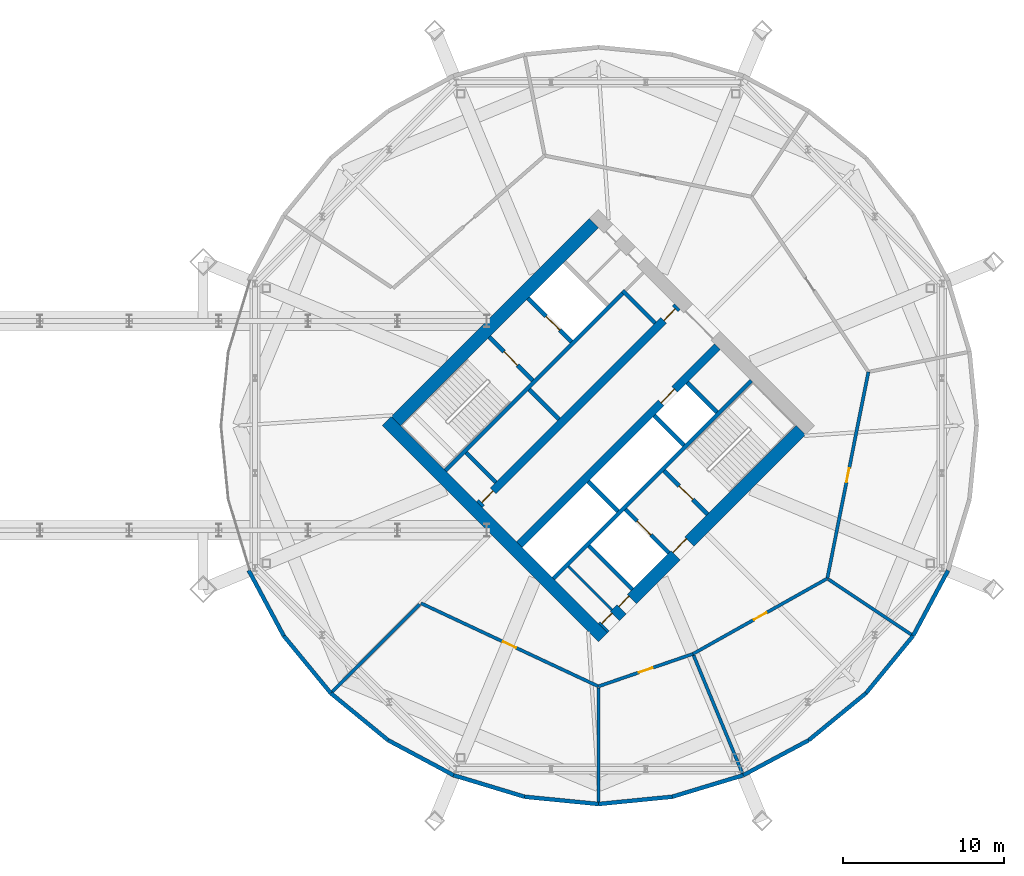
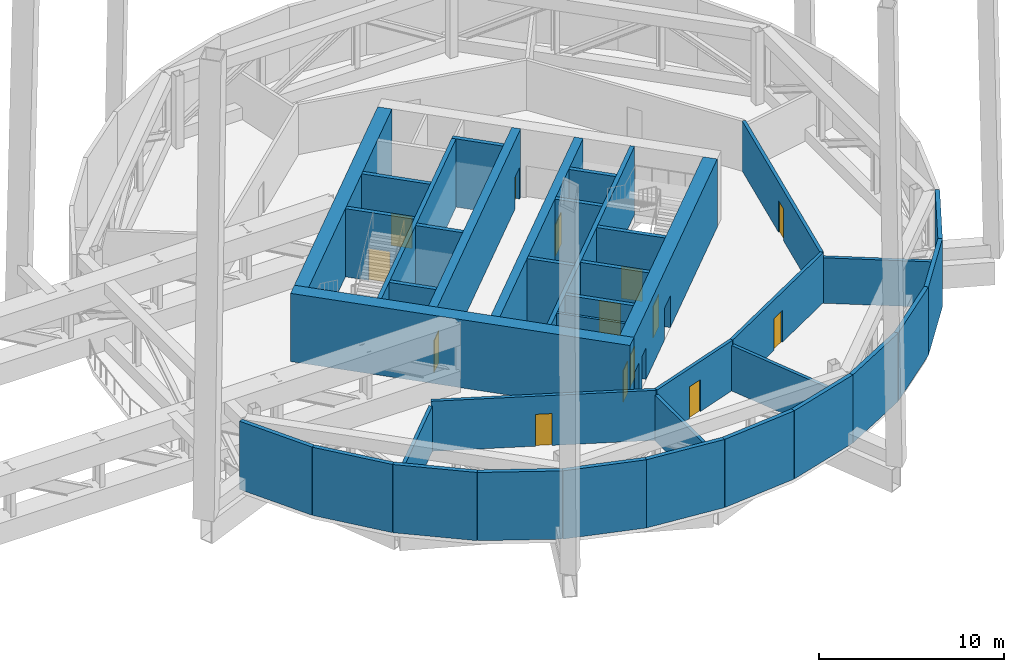
# One storey, part 15 of 19: 39 walls, 14 doors, 14 openings.
"""IFC4 building model written with IfcOpenShell, lengths in metres."""

from ifc_helpers import new_model, si_unit, direction, frame, frame_2d, origin, place, context, subcontext, project, spatial, rectangle, extrude, material, layer, layer_set, type_object, element, fill, save


model = new_model("IFC4")

# Units and contexts
model_context = context("Model", 3, precision=1e-05, world=origin(), true_north=direction((0.0, 1.0)))
body_context = subcontext(model_context, "Body", "Model", "MODEL_VIEW")
ifc_project = project(units=[si_unit("LENGTHUNIT", "METRE"), si_unit("AREAUNIT", "SQUARE_METRE"), si_unit("VOLUMEUNIT", "CUBIC_METRE"), si_unit("PLANEANGLEUNIT", "RADIAN"), si_unit("MASSUNIT", "GRAM", prefix="KILO")], contexts=[model_context])

# Site, building, storey
site_placement = place(None, origin())
site = spatial("IfcSite", under=ifc_project, at=site_placement, CompositionType="ELEMENT")
building_placement = place(site_placement, origin())
building = spatial("IfcBuilding", under=site, at=building_placement, Name="Ogive Gate Towers", CompositionType="ELEMENT")
storey_placement = place(building_placement, frame((0.0, 0.0, 130.800048828125)))
storey = spatial("IfcBuildingStorey", under=building, at=storey_placement, Name="L31", CompositionType="ELEMENT", Elevation=130.800048828125)

# Walls
ifc_material_1 = material(Name="Fire-rated block compartment wall")
ifc_layer_1 = layer(ifc_material_1, 0.199951171875)
ifc_layer_set_1 = layer_set([ifc_layer_1], Name="Compartment wall 200")
wall_type_1 = type_object("IfcWallType", Name="Compartment wall 200", PredefinedType="PARTITIONING", material=ifc_layer_set_1)
wall_1_placement = place(storey_placement, frame((19.347900390625, -16.652099609375, 0.0), z_axis=(0.0, 0.0, 1.0), x_axis=(0.707106781187, 0.707106781187, 0.0)))
element("IfcWall", 1, at=wall_1_placement, inside=storey, type_object=wall_type_1, Name="Partition T2-L31-005", PredefinedType="PARTITIONING", context=body_context, shape_type="SweptSolid", body=[
    extrude(rectangle(XDim=7.83935546875, YDim=0.199951171875, at=frame_2d((3.919677734375, 0.0))), origin(), (0.0, 0.0, 1.0), 3.0),
])
wall_2_placement = place(storey_placement, frame((36.0, -23.549560546875, 0.0), z_axis=(0.0, 0.0, 1.0), x_axis=(0.0, 1.0, 0.0)))
element("IfcWall", 2, at=wall_2_placement, inside=storey, type_object=wall_type_1, Name="Partition T2-L31-006", PredefinedType="PARTITIONING", context=body_context, shape_type="SweptSolid", body=[
    extrude(rectangle(XDim=7.239013671875, YDim=0.199951171875, at=frame_2d((3.61962890625, 0.0))), origin(), (0.0, 0.0, 1.0), 3.0),
])
wall_3_placement = place(storey_placement, frame((45.011962890625, -21.7568359375, 0.0), z_axis=(0.0, 0.0, 1.0), x_axis=(-0.382681444958, 0.92388035572, 0.0)))
element("IfcWall", 3, at=wall_3_placement, inside=storey, type_object=wall_type_1, Name="Partition T2-L31-007", PredefinedType="PARTITIONING", context=body_context, shape_type="SweptSolid", body=[
    extrude(rectangle(XDim=8.0888671875, YDim=0.199951171875, at=frame_2d((4.04443359375, 0.0))), origin(), (0.0, 0.0, 1.0), 3.0),
])
wall_4_placement = place(storey_placement, frame((55.580810546875, -13.08349609375, 0.0), z_axis=(0.0, 0.0, 1.0), x_axis=(-0.831457311866, 0.555588641483, 0.0)))
element("IfcWall", 4, at=wall_4_placement, inside=storey, type_object=wall_type_1, Name="Partition T2-L31-008", PredefinedType="PARTITIONING", context=body_context, shape_type="SweptSolid", body=[
    extrude(rectangle(XDim=6.339111328125, YDim=0.199951171875, at=frame_2d((3.16943359375, 0.0))), origin(), (0.0, 0.0, 1.0), 3.0),
])

# Wall, opening, door
wall_5_placement = place(storey_placement, frame((24.961669921875, -11.038330078125, 0.0), z_axis=(0.0, 0.0, 1.0), x_axis=(0.905525070214, -0.424292761208, 0.0)))
wall_5 = element("IfcWall", 5, at=wall_5_placement, inside=storey, type_object=wall_type_1, Name="Partition T2-L31-009", PredefinedType="PARTITIONING", context=body_context, shape_type="SweptSolid", body=[
    extrude(rectangle(XDim=12.18994140625, YDim=0.199951171875, at=frame_2d((6.094970703125, 0.0))), origin(), (0.0, 0.0, 1.0), 3.300048828125),
])
opening_1_placement = place(wall_5_placement, frame((5.64501953125, 0.0, 0.0)))
opening_1 = element("IfcOpeningElement", 6, at=opening_1_placement, cuts=wall_5, Name="Opening T2-L31-D01", PredefinedType="OPENING", context=body_context, shape_type="SweptSolid", body=[
    extrude(rectangle(XDim=0.89990234375, YDim=2.10009765625, at=frame_2d((0.449951171875, 1.050048828125))), frame((0.0, 0.10986328125, 0.0), z_axis=(0.0, -1.0, 0.0), x_axis=(1.0, 0.0, 0.0)), (0.0, 0.0, 1.0), 0.219970703125),
])
ifc_material_2 = material(Name="Steel fire door", Category="steel")
door_type_1 = type_object("IfcDoorType", Name="Fire door 900 FD30S", OperationType="NOTDEFINED", PredefinedType="DOOR", material=ifc_material_2)
door_1_placement = place(opening_1_placement, origin())
door_1 = element("IfcDoor", 7, at=door_1_placement, inside=storey, type_object=door_type_1, Name="Door T2-L31-D01", OperationType="SINGLE_SWING_LEFT", OverallHeight=2.10009765625, OverallWidth=0.89990234375, PredefinedType="DOOR", context=body_context, shape_type="SweptSolid", body=[
    extrude(rectangle(XDim=0.89990234375, YDim=2.10009765625, at=frame_2d((0.449951171875, 1.050048828125))), frame((0.0, 0.02490234375, 0.0), z_axis=(0.0, -1.0, 0.0), x_axis=(1.0, 0.0, 0.0)), (0.0, 0.0, 1.0), 0.050048828125),
])
fill(opening_1, door_1)

wall_6_placement = place(storey_placement, frame((36.0, -16.21044921875, 0.0), z_axis=(0.0, 0.0, 1.0), x_axis=(0.945752618782, 0.324887648376, 0.0)))
wall_6 = element("IfcWall", 8, at=wall_6_placement, inside=storey, type_object=wall_type_1, Name="Partition T2-L31-010", PredefinedType="PARTITIONING", context=body_context, shape_type="SweptSolid", body=[
    extrude(rectangle(XDim=6.21533203125, YDim=0.199951171875, at=frame_2d((3.107666015625, 0.0))), origin(), (0.0, 0.0, 1.0), 3.300048828125),
])
opening_2_placement = place(wall_6_placement, frame((2.657958984375, 0.0, 0.0)))
opening_2 = element("IfcOpeningElement", 9, at=opening_2_placement, cuts=wall_6, Name="Opening T2-L31-D02", PredefinedType="OPENING", context=body_context, shape_type="SweptSolid", body=[
    extrude(rectangle(XDim=0.89990234375, YDim=2.10009765625, at=frame_2d((0.449951171875, 1.050048828125))), frame((0.0, 0.10986328125, 0.0), z_axis=(0.0, -1.0, 0.0), x_axis=(1.0, 0.0, 0.0)), (0.0, 0.0, 1.0), 0.219970703125),
])
door_2_placement = place(opening_2_placement, origin())
door_2 = element("IfcDoor", 10, at=door_2_placement, inside=storey, type_object=door_type_1, Name="Door T2-L31-D02", OperationType="SINGLE_SWING_RIGHT", OverallHeight=2.10009765625, OverallWidth=0.89990234375, PredefinedType="DOOR", context=body_context, shape_type="SweptSolid", body=[
    extrude(rectangle(XDim=0.89990234375, YDim=2.10009765625, at=frame_2d((0.449951171875, 1.050048828125))), frame((0.0, 0.02490234375, 0.0), z_axis=(0.0, -1.0, 0.0), x_axis=(1.0, 0.0, 0.0)), (0.0, 0.0, 1.0), 0.050048828125),
])
fill(opening_2, door_2)

wall_7_placement = place(storey_placement, frame((41.878173828125, -14.191162109375, 0.0), z_axis=(0.0, 0.0, 1.0), x_axis=(0.872068186423, 0.489384386989, 0.0)))
wall_7 = element("IfcWall", 11, at=wall_7_placement, inside=storey, type_object=wall_type_1, Name="Partition T2-L31-011", PredefinedType="PARTITIONING", context=body_context, shape_type="SweptSolid", body=[
    extrude(rectangle(XDim=9.573486328125, YDim=0.199951171875, at=frame_2d((4.78662109375, 0.0))), origin(), (0.0, 0.0, 1.0), 3.300048828125),
])
opening_3_placement = place(wall_7_placement, frame((4.3369140625, 0.0, 0.0)))
opening_3 = element("IfcOpeningElement", 12, at=opening_3_placement, cuts=wall_7, Name="Opening T2-L31-D03", PredefinedType="OPENING", context=body_context, shape_type="SweptSolid", body=[
    extrude(rectangle(XDim=0.89990234375, YDim=2.10009765625, at=frame_2d((0.449951171875, 1.050048828125))), frame((0.0, 0.10986328125, 0.0), z_axis=(0.0, -1.0, 0.0), x_axis=(1.0, 0.0, 0.0)), (0.0, 0.0, 1.0), 0.219970703125),
])
door_3_placement = place(opening_3_placement, origin())
door_3 = element("IfcDoor", 13, at=door_3_placement, inside=storey, type_object=door_type_1, Name="Door T2-L31-D03", OperationType="SINGLE_SWING_RIGHT", OverallHeight=2.10009765625, OverallWidth=0.89990234375, PredefinedType="DOOR", context=body_context, shape_type="SweptSolid", body=[
    extrude(rectangle(XDim=0.89990234375, YDim=2.10009765625, at=frame_2d((0.449951171875, 1.050048828125))), frame((0.0, 0.02490234375, 0.0), z_axis=(0.0, -1.0, 0.0), x_axis=(1.0, 0.0, 0.0)), (0.0, 0.0, 1.0), 0.050048828125),
])
fill(opening_3, door_3)

wall_8_placement = place(storey_placement, frame((50.226806640625, -9.506103515625, 0.0), z_axis=(0.0, 0.0, 1.0), x_axis=(0.195094273592, 0.980784494378, 0.0)))
wall_8 = element("IfcWall", 14, at=wall_8_placement, inside=storey, type_object=wall_type_1, Name="Partition T2-L31-012", PredefinedType="PARTITIONING", context=body_context, shape_type="SweptSolid", body=[
    extrude(rectangle(XDim=13.095947265625, YDim=0.199951171875, at=frame_2d((6.5478515625, 0.0))), origin(), (0.0, 0.0, 1.0), 3.300048828125),
])
opening_4_placement = place(wall_8_placement, frame((6.097900390625, 0.0, 0.0)))
opening_4 = element("IfcOpeningElement", 15, at=opening_4_placement, cuts=wall_8, Name="Opening T2-L31-D04", PredefinedType="OPENING", context=body_context, shape_type="SweptSolid", body=[
    extrude(rectangle(XDim=0.89990234375, YDim=2.10009765625, at=frame_2d((0.449951171875, 1.050048828125))), frame((0.0, 0.10986328125, 0.0), z_axis=(0.0, -1.0, 0.0), x_axis=(1.0, 0.0, 0.0)), (0.0, 0.0, 1.0), 0.219970703125),
])
door_4_placement = place(opening_4_placement, origin())
door_4 = element("IfcDoor", 16, at=door_4_placement, inside=storey, type_object=door_type_1, Name="Door T2-L31-D04", OperationType="SINGLE_SWING_RIGHT", OverallHeight=2.10009765625, OverallWidth=0.89990234375, PredefinedType="DOOR", context=body_context, shape_type="SweptSolid", body=[
    extrude(rectangle(XDim=0.89990234375, YDim=2.10009765625, at=frame_2d((0.449951171875, 1.050048828125))), frame((0.0, 0.02490234375, 0.0), z_axis=(0.0, -1.0, 0.0), x_axis=(1.0, 0.0, 0.0)), (0.0, 0.0, 1.0), 0.050048828125),
])
fill(opening_4, door_4)

# Wall, openings, doors
ifc_material_3 = material(Name="Concrete C60/75", Category="concrete")
ifc_layer_2 = layer(ifc_material_3, 0.800048828125)
ifc_layer_set_2 = layer_set([ifc_layer_2], Name="Core wall 800 mm")
wall_type_2 = type_object("IfcWallType", Name="Core wall 800 mm", PredefinedType="SHEAR", material=ifc_layer_set_2)
wall_9_placement = place(storey_placement, frame((36.28271484375, -12.58642578125, 0.0), z_axis=(0.0, 0.0, 1.0), x_axis=(0.707106781187, 0.707106781187, 0.0)))
wall_9 = element("IfcWall", 17, at=wall_9_placement, inside=storey, type_object=wall_type_2, Name="T2 L31 Core wall 800 mm", PredefinedType="SHEAR", context=body_context, shape_type="SweptSolid", body=[
    extrude(rectangle(XDim=17.400146484375, YDim=0.800048828125, at=frame_2d((8.7001953125, 0.0))), origin(), (0.0, 0.0, 1.0), 4.5),
])
opening_5_placement = place(wall_9_placement, frame((6.39990234375, 0.0, 0.0)))
opening_5 = element("IfcOpeningElement", 18, at=opening_5_placement, cuts=wall_9, Name="Opening KD-T2-L31-09", PredefinedType="OPENING", context=body_context, shape_type="SweptSolid", body=[
    extrude(rectangle(XDim=1.199951171875, YDim=2.10009765625, at=frame_2d((0.60009765625, 1.050048828125))), frame((0.0, 0.41015625, 0.0), z_axis=(0.0, -1.0, 0.0), x_axis=(1.0, 0.0, 0.0)), (0.0, 0.0, 1.0), 0.820068359375),
])
opening_6_placement = place(wall_9_placement, frame((0.14990234375, 0.0, 0.0)))
opening_6 = element("IfcOpeningElement", 19, at=opening_6_placement, cuts=wall_9, Name="Opening KD-T2-L31-12", PredefinedType="OPENING", context=body_context, shape_type="SweptSolid", body=[
    extrude(rectangle(XDim=0.89990234375, YDim=2.10009765625, at=frame_2d((0.449951171875, 1.050048828125))), frame((0.0, 0.41015625, 0.0), z_axis=(0.0, -1.0, 0.0), x_axis=(1.0, 0.0, 0.0)), (0.0, 0.0, 1.0), 0.820068359375),
])
opening_7_placement = place(wall_9_placement, frame((1.64990234375, 0.0, 0.0)))
opening_7 = element("IfcOpeningElement", 20, at=opening_7_placement, cuts=wall_9, Name="Opening KD-T2-L31-13", PredefinedType="OPENING", context=body_context, shape_type="SweptSolid", body=[
    extrude(rectangle(XDim=0.89990234375, YDim=2.10009765625, at=frame_2d((0.449951171875, 1.050048828125))), frame((0.0, 0.41015625, 0.0), z_axis=(0.0, -1.0, 0.0), x_axis=(1.0, 0.0, 0.0)), (0.0, 0.0, 1.0), 0.820068359375),
])
door_type_2 = type_object("IfcDoorType", Name="Core door FD60S 1200 x 2100", OperationType="NOTDEFINED", PredefinedType="DOOR", material=ifc_material_2)
door_5_placement = place(opening_5_placement, origin())
door_5 = element("IfcDoor", 21, at=door_5_placement, inside=storey, type_object=door_type_2, Name="T2 L31 Fire-fighting lobby door", OperationType="SINGLE_SWING_RIGHT", OverallHeight=2.10009765625, OverallWidth=1.199951171875, PredefinedType="DOOR", context=body_context, shape_type="SweptSolid", body=[
    extrude(rectangle(XDim=1.199951171875, YDim=2.10009765625, at=frame_2d((0.60009765625, 1.050048828125))), frame((0.0, 0.27490234375, 0.0), z_axis=(0.0, -1.0, 0.0), x_axis=(1.0, 0.0, 0.0)), (0.0, 0.0, 1.0), 0.050048828125),
])
fill(opening_5, door_5)
door_type_3 = type_object("IfcDoorType", Name="Core door FD60S 900 x 2100", OperationType="NOTDEFINED", PredefinedType="DOOR", material=ifc_material_2)
door_6_placement = place(opening_6_placement, origin())
door_6 = element("IfcDoor", 22, at=door_6_placement, inside=storey, type_object=door_type_3, Name="T2 L31 Core door", OperationType="SINGLE_SWING_LEFT", OverallHeight=2.10009765625, OverallWidth=0.89990234375, PredefinedType="DOOR", context=body_context, shape_type="SweptSolid", body=[
    extrude(rectangle(XDim=0.89990234375, YDim=2.10009765625, at=frame_2d((0.449951171875, 1.050048828125))), frame((0.0, 0.27490234375, 0.0), z_axis=(0.0, -1.0, 0.0), x_axis=(1.0, 0.0, 0.0)), (0.0, 0.0, 1.0), 0.050048828125),
])
fill(opening_6, door_6)
door_7_placement = place(opening_7_placement, origin())
door_7 = element("IfcDoor", 23, at=door_7_placement, inside=storey, type_object=door_type_3, Name="T2 L31 Core door", OperationType="SINGLE_SWING_RIGHT", OverallHeight=2.10009765625, OverallWidth=0.89990234375, PredefinedType="DOOR", context=body_context, shape_type="SweptSolid", body=[
    extrude(rectangle(XDim=0.89990234375, YDim=2.10009765625, at=frame_2d((0.449951171875, 1.050048828125))), frame((0.0, 0.27490234375, 0.0), z_axis=(0.0, -1.0, 0.0), x_axis=(1.0, 0.0, 0.0)), (0.0, 0.0, 1.0), 0.050048828125),
])
fill(opening_7, door_7)

# Walls
wall_10_placement = place(storey_placement, frame((23.41357421875, 0.28271484375, 0.0), z_axis=(0.0, 0.0, 1.0), x_axis=(0.707106781187, 0.707106781187, 0.0)))
element("IfcWall", 24, at=wall_10_placement, inside=storey, type_object=wall_type_2, Name="T2 L31 Core wall 800 mm", PredefinedType="SHEAR", context=body_context, shape_type="SweptSolid", body=[
    extrude(rectangle(XDim=17.400146484375, YDim=0.800048828125, at=frame_2d((8.7001953125, 0.0))), origin(), (0.0, 0.0, 1.0), 4.5),
])
wall_11_placement = place(storey_placement, frame((36.28271484375, -13.152099609375, 0.0), z_axis=(0.0, 0.0, 1.0), x_axis=(-0.707106781187, 0.707106781187, 0.0)))
element("IfcWall", 25, at=wall_11_placement, inside=storey, type_object=wall_type_2, Name="T2 L31 Core wall 800 mm", PredefinedType="SHEAR", context=body_context, shape_type="SweptSolid", body=[
    extrude(rectangle(XDim=18.999755859375, YDim=0.800048828125, at=frame_2d((9.5, 0.0))), origin(), (0.0, 0.0, 1.0), 4.5),
])
ifc_material_4 = material(Name="Pale metal aluminium louvre", Category="aluminium")
ifc_layer_3 = layer(ifc_material_4, 0.25)
ifc_layer_set_3 = layer_set([ifc_layer_3], Name="Plant louvre wall")
wall_type_3 = type_object("IfcWallType", Name="Plant louvre wall", PredefinedType="SOLIDWALL", material=ifc_layer_set_3)
wall_12_placement = place(storey_placement, frame((14.265869140625, -9.002685546875, 0.0), z_axis=(0.0, 0.0, 1.0), x_axis=(0.471401410414, -0.881918766248, 0.0)))
element("IfcWall", 26, at=wall_12_placement, inside=storey, type_object=wall_type_3, Name="Plant louvre wall", PredefinedType="SOLIDWALL", context=body_context, shape_type="SweptSolid", body=[
    extrude(rectangle(XDim=4.611328125, YDim=0.25, at=frame_2d((2.3056640625, 0.0))), origin(), (0.0, 0.0, 1.0), 4.5),
])
for number, where, z_axis, x_axis, name in (
    (27, (16.439697265625, -13.069580078125, 0.0), (0.0, 0.0, 1.0), (0.634407464911, -0.772998815306, 0.0), "Plant louvre wall"),
    (28, (19.365478515625, -16.634521484375, 0.0), (0.0, 0.0, 1.0), (0.772998815306, -0.634407464911, 0.0), "Plant louvre wall"),
):
    element("IfcWall", number, at=place(storey_placement, frame(where, z_axis=z_axis, x_axis=x_axis)), inside=storey, type_object=wall_type_3, Name=name, PredefinedType="SOLIDWALL", context=body_context, shape_type="SweptSolid", body=[
        extrude(rectangle(XDim=4.61181640625, YDim=0.25, at=frame_2d((2.305908203125, 0.0))), origin(), (0.0, 0.0, 1.0), 4.5),
    ])
wall_13_placement = place(storey_placement, frame((22.930419921875, -19.560302734375, 0.0), z_axis=(0.0, 0.0, 1.0), x_axis=(0.881918766248, -0.471401410414, 0.0)))
element("IfcWall", 29, at=wall_13_placement, inside=storey, type_object=wall_type_3, Name="Plant louvre wall", PredefinedType="SOLIDWALL", context=body_context, shape_type="SweptSolid", body=[
    extrude(rectangle(XDim=4.611328125, YDim=0.25, at=frame_2d((2.3056640625, 0.0))), origin(), (0.0, 0.0, 1.0), 4.5),
])
for number, where, z_axis, x_axis, name in (
    (30, (26.997314453125, -21.734130859375, 0.0), (0.0, 0.0, 1.0), (0.956929962472, -0.290318871111, 0.0), "Plant louvre wall"),
    (31, (31.410400390625, -23.072998046875, 0.0), (0.0, 0.0, 1.0), (0.995187514204, -0.097988833916, 0.0), "Plant louvre wall"),
    (32, (36.0, -23.52490234375, 0.0), (0.0, 0.0, 1.0), (0.995187514204, 0.097988833916, 0.0), "Plant louvre wall"),
    (33, (40.589599609375, -23.072998046875, 0.0), (0.0, 0.0, 1.0), (0.956929962472, 0.290318871111, 0.0), "Plant louvre wall"),
):
    element("IfcWall", number, at=place(storey_placement, frame(where, z_axis=z_axis, x_axis=x_axis)), inside=storey, type_object=wall_type_3, Name=name, PredefinedType="SOLIDWALL", context=body_context, shape_type="SweptSolid", body=[
        extrude(rectangle(XDim=4.61181640625, YDim=0.25, at=frame_2d((2.305908203125, 0.0))), origin(), (0.0, 0.0, 1.0), 4.5),
    ])
wall_14_placement = place(storey_placement, frame((45.002685546875, -21.734130859375, 0.0), z_axis=(0.0, 0.0, 1.0), x_axis=(0.881918766248, 0.471401410414, 0.0)))
element("IfcWall", 34, at=wall_14_placement, inside=storey, type_object=wall_type_3, Name="Plant louvre wall", PredefinedType="SOLIDWALL", context=body_context, shape_type="SweptSolid", body=[
    extrude(rectangle(XDim=4.611328125, YDim=0.25, at=frame_2d((2.3056640625, 0.0))), origin(), (0.0, 0.0, 1.0), 4.5),
])
for number, where, z_axis, x_axis, name in (
    (35, (49.069580078125, -19.560302734375, 0.0), (0.0, 0.0, 1.0), (0.772998815306, 0.634407464911, 0.0), "Plant louvre wall"),
    (36, (52.634521484375, -16.634521484375, 0.0), (0.0, 0.0, 1.0), (0.634407464911, 0.772998815306, 0.0), "Plant louvre wall"),
):
    element("IfcWall", number, at=place(storey_placement, frame(where, z_axis=z_axis, x_axis=x_axis)), inside=storey, type_object=wall_type_3, Name=name, PredefinedType="SOLIDWALL", context=body_context, shape_type="SweptSolid", body=[
        extrude(rectangle(XDim=4.61181640625, YDim=0.25, at=frame_2d((2.305908203125, 0.0))), origin(), (0.0, 0.0, 1.0), 4.5),
    ])
wall_15_placement = place(storey_placement, frame((55.560302734375, -13.069580078125, 0.0), z_axis=(0.0, 0.0, 1.0), x_axis=(0.471401410414, 0.881918766248, 0.0)))
element("IfcWall", 37, at=wall_15_placement, inside=storey, type_object=wall_type_3, Name="Plant louvre wall", PredefinedType="SOLIDWALL", context=body_context, shape_type="SweptSolid", body=[
    extrude(rectangle(XDim=4.611328125, YDim=0.25, at=frame_2d((2.3056640625, 0.0))), origin(), (0.0, 0.0, 1.0), 4.5),
])
ifc_material_5 = material(Name="Gypsum board partition")
ifc_layer_4 = layer(ifc_material_5, 0.14990234375)
ifc_layer_set_4 = layer_set([ifc_layer_4], Name="Room partition 150 mm")
wall_type_4 = type_object("IfcWallType", Name="Room partition 150 mm", PredefinedType="PARTITIONING", material=ifc_layer_set_4)
wall_16_placement = place(storey_placement, frame((36.848388671875, -11.455078125, 0.0), z_axis=(0.0, 0.0, 1.0), x_axis=(-0.707106781187, 0.707106781187, 0.0)))
element("IfcWall", 38, at=wall_16_placement, inside=storey, type_object=wall_type_4, Name="T2 L31 Room partition 150 mm", PredefinedType="PARTITIONING", context=body_context, shape_type="SweptSolid", body=[
    extrude(rectangle(XDim=3.824951171875, YDim=0.14990234375, at=frame_2d((1.91259765625, 0.0))), origin(), (0.0, 0.0, 1.0), 4.5),
])
ifc_layer_5 = layer(ifc_material_3, 0.25)
ifc_layer_set_5 = layer_set([ifc_layer_5], Name="Shaft wall 250 mm")
wall_type_5 = type_object("IfcWallType", Name="Shaft wall 250 mm", PredefinedType="SHEAR", material=ifc_layer_set_5)
wall_17_placement = place(storey_placement, frame((33.206787109375, -9.510498046875, 0.0), z_axis=(0.0, 0.0, 1.0), x_axis=(0.707106781187, 0.707106781187, 0.0)))
element("IfcWall", 39, at=wall_17_placement, inside=storey, type_object=wall_type_5, Name="T2 L31 Shaft wall 250 mm", PredefinedType="SHEAR", context=body_context, shape_type="SweptSolid", body=[
    extrude(rectangle(XDim=17.400146484375, YDim=0.25, at=frame_2d((8.7001953125, 0.0))), origin(), (0.0, 0.0, 1.0), 4.5),
])
wall_18_placement = place(storey_placement, frame((26.489501953125, -2.793212890625, 0.0), z_axis=(0.0, 0.0, 1.0), x_axis=(0.707098943647, 0.70711461864, 0.0)))
element("IfcWall", 40, at=wall_18_placement, inside=storey, type_object=wall_type_5, Name="T2 L31 Shaft wall 250 mm", PredefinedType="SHEAR", context=body_context, shape_type="SweptSolid", body=[
    extrude(rectangle(XDim=15.5751953125, YDim=0.25, at=frame_2d((7.78759765625, 0.0))), origin(), (0.0, 0.0, 1.0), 4.5),
])
wall_19_placement = place(storey_placement, frame((29.635986328125, -3.535400390625, 0.0), z_axis=(0.0, 0.0, 1.0), x_axis=(-0.707153284542, 0.707060274772, 0.0)))
element("IfcWall", 41, at=wall_19_placement, inside=storey, type_object=wall_type_5, Name="T2 L31 Shaft wall 250 mm", PredefinedType="SHEAR", context=body_context, shape_type="SweptSolid", body=[
    extrude(rectangle(XDim=2.625, YDim=0.25, at=frame_2d((1.3125, 0.0))), origin(), (0.0, 0.0, 1.0), 4.5),
])
wall_20_placement = place(storey_placement, frame((38.121337890625, -10.182373046875, 0.0), z_axis=(0.0, 0.0, 1.0), x_axis=(-0.707138693938, 0.707074866995, 0.0)))
element("IfcWall", 42, at=wall_20_placement, inside=storey, type_object=wall_type_5, Name="T2 L31 Shaft wall 250 mm", PredefinedType="SHEAR", context=body_context, shape_type="SweptSolid", body=[
    extrude(rectangle(XDim=3.824951171875, YDim=0.25, at=frame_2d((1.91259765625, 0.0))), origin(), (0.0, 0.0, 1.0), 4.5),
])
wall_21_placement = place(storey_placement, frame((37.2197265625, -5.321044921875, 0.0), z_axis=(0.0, 0.0, 1.0), x_axis=(-0.707106781187, 0.707106781187, 0.0)))
element("IfcWall", 43, at=wall_21_placement, inside=storey, type_object=wall_type_5, Name="T2 L31 Shaft wall 250 mm", PredefinedType="SHEAR", context=body_context, shape_type="SweptSolid", body=[
    extrude(rectangle(XDim=2.625, YDim=0.25, at=frame_2d((1.3125, 0.0))), origin(), (0.0, 0.0, 1.0), 4.5),
])

# Wall, opening, door
wall_22_placement = place(storey_placement, frame((40.384033203125, -7.919677734375, 0.0), z_axis=(0.0, 0.0, 1.0), x_axis=(-0.707074866995, 0.707138693938, 0.0)))
wall_22 = element("IfcWall", 44, at=wall_22_placement, inside=storey, type_object=wall_type_5, Name="T2 L31 Shaft wall 250 mm", PredefinedType="SHEAR", context=body_context, shape_type="SweptSolid", body=[
    extrude(rectangle(XDim=3.824951171875, YDim=0.25, at=frame_2d((1.91259765625, 0.0))), origin(), (0.0, 0.0, 1.0), 4.5),
])
opening_8_placement = place(wall_22_placement, frame((1.60009765625, 0.0, 0.0)))
opening_8 = element("IfcOpeningElement", 45, at=opening_8_placement, cuts=wall_22, Name="Opening LD-T2-L31-06", PredefinedType="OPENING", context=body_context, shape_type="SweptSolid", body=[
    extrude(rectangle(XDim=1.199951171875, YDim=2.10009765625, at=frame_2d((0.60009765625, 1.050048828125))), frame((0.0, 0.135009765625, 0.0), z_axis=(0.0, -1.0, 0.0), x_axis=(1.0, 0.0, 0.0)), (0.0, 0.0, 1.0), 0.27001953125),
])
ifc_material_6 = material(Name="Stainless steel landing door", Category="steel")
door_type_4 = type_object("IfcDoorType", Name="Landing door 1200 x 2100", OperationType="SLIDING_TO_LEFT", PredefinedType="DOOR", material=ifc_material_6)
door_8_placement = place(opening_8_placement, origin())
door_8 = element("IfcDoor", 46, at=door_8_placement, inside=storey, type_object=door_type_4, Name="T2 L31 Lift landing door FF2", OperationType="SLIDING_TO_LEFT", OverallHeight=2.10009765625, OverallWidth=1.199951171875, PredefinedType="DOOR", context=body_context, shape_type="SweptSolid", body=[
    extrude(rectangle(XDim=1.199951171875, YDim=2.10009765625, at=frame_2d((0.60009765625, 1.050048828125))), frame((0.0, 0.02490234375, 0.0), z_axis=(0.0, -1.0, 0.0), x_axis=(1.0, 0.0, 0.0)), (0.0, 0.0, 1.0), 0.050048828125),
])
fill(opening_8, door_8)

# Wall
wall_23_placement = place(storey_placement, frame((33.560546875, 0.388916015625, 0.0), z_axis=(0.0, 0.0, 1.0), x_axis=(-0.707106781187, 0.707106781187, 0.0)))
element("IfcWall", 47, at=wall_23_placement, inside=storey, type_object=wall_type_5, Name="T2 L31 Shaft wall 250 mm", PredefinedType="SHEAR", context=body_context, shape_type="SweptSolid", body=[
    extrude(rectangle(XDim=2.625, YDim=0.25, at=frame_2d((1.3125, 0.0))), origin(), (0.0, 0.0, 1.0), 4.5),
])

# Wall, opening, door
wall_24_placement = place(storey_placement, frame((31.91650390625, 2.810791015625, 0.0), z_axis=(0.0, 0.0, 1.0), x_axis=(-0.707106781187, 0.707106781187, 0.0)))
wall_24 = element("IfcWall", 48, at=wall_24_placement, inside=storey, type_object=wall_type_5, Name="T2 L31 Shaft wall 250 mm", PredefinedType="SHEAR", context=body_context, shape_type="SweptSolid", body=[
    extrude(rectangle(XDim=3.824951171875, YDim=0.25, at=frame_2d((1.91259765625, 0.0))), origin(), (0.0, 0.0, 1.0), 4.5),
])
opening_9_placement = place(wall_24_placement, frame((1.324951171875, 0.0, 0.0)))
opening_9 = element("IfcOpeningElement", 49, at=opening_9_placement, cuts=wall_24, Name="Opening KD-T2-L31-07", PredefinedType="OPENING", context=body_context, shape_type="SweptSolid", body=[
    extrude(rectangle(XDim=1.199951171875, YDim=2.10009765625, at=frame_2d((0.60009765625, 1.050048828125))), frame((0.0, 0.135009765625, 0.0), z_axis=(0.0, -1.0, 0.0), x_axis=(1.0, 0.0, 0.0)), (0.0, 0.0, 1.0), 0.27001953125),
])
door_9_placement = place(opening_9_placement, origin())
door_9 = element("IfcDoor", 50, at=door_9_placement, inside=storey, type_object=door_type_2, Name="T2 L31 Stair door", OperationType="SINGLE_SWING_RIGHT", OverallHeight=2.10009765625, OverallWidth=1.199951171875, PredefinedType="DOOR", context=body_context, shape_type="SweptSolid", body=[
    extrude(rectangle(XDim=1.199951171875, YDim=2.10009765625, at=frame_2d((0.60009765625, 1.050048828125))), frame((0.0, 0.02490234375, 0.0), z_axis=(0.0, -1.0, 0.0), x_axis=(1.0, 0.0, 0.0)), (0.0, 0.0, 1.0), 0.050048828125),
])
fill(opening_9, door_9)

wall_25_placement = place(storey_placement, frame((42.7880859375, -5.515380859375, 0.0), z_axis=(0.0, 0.0, 1.0), x_axis=(-0.707106781187, 0.707106781187, 0.0)))
wall_25 = element("IfcWall", 51, at=wall_25_placement, inside=storey, type_object=wall_type_5, Name="T2 L31 Shaft wall 250 mm", PredefinedType="SHEAR", context=body_context, shape_type="SweptSolid", body=[
    extrude(rectangle(XDim=3.824951171875, YDim=0.25, at=frame_2d((1.91259765625, 0.0))), origin(), (0.0, 0.0, 1.0), 4.5),
])
opening_10_placement = place(wall_25_placement, frame((1.300048828125, 0.0, 0.0)))
opening_10 = element("IfcOpeningElement", 52, at=opening_10_placement, cuts=wall_25, Name="Opening KD-T2-L31-08", PredefinedType="OPENING", context=body_context, shape_type="SweptSolid", body=[
    extrude(rectangle(XDim=1.199951171875, YDim=2.10009765625, at=frame_2d((0.60009765625, 1.050048828125))), frame((0.0, 0.135009765625, 0.0), z_axis=(0.0, -1.0, 0.0), x_axis=(1.0, 0.0, 0.0)), (0.0, 0.0, 1.0), 0.27001953125),
])
door_10_placement = place(opening_10_placement, origin())
door_10 = element("IfcDoor", 53, at=door_10_placement, inside=storey, type_object=door_type_2, Name="T2 L31 Stair door", OperationType="SINGLE_SWING_LEFT", OverallHeight=2.10009765625, OverallWidth=1.199951171875, PredefinedType="DOOR", context=body_context, shape_type="SweptSolid", body=[
    extrude(rectangle(XDim=1.199951171875, YDim=2.10009765625, at=frame_2d((0.60009765625, 1.050048828125))), frame((0.0, 0.02490234375, 0.0), z_axis=(0.0, -1.0, 0.0), x_axis=(1.0, 0.0, 0.0)), (0.0, 0.0, 1.0), 0.050048828125),
])
fill(opening_10, door_10)

wall_26_placement = place(storey_placement, frame((34.320556640625, 5.21484375, 0.0), z_axis=(0.0, 0.0, 1.0), x_axis=(-0.707074866995, 0.707138693938, 0.0)))
wall_26 = element("IfcWall", 54, at=wall_26_placement, inside=storey, type_object=wall_type_5, Name="T2 L31 Shaft wall 250 mm", PredefinedType="SHEAR", context=body_context, shape_type="SweptSolid", body=[
    extrude(rectangle(XDim=3.824951171875, YDim=0.25, at=frame_2d((1.91259765625, 0.0))), origin(), (0.0, 0.0, 1.0), 4.5),
])
opening_11_placement = place(wall_26_placement, frame((1.02490234375, 0.0, 0.0)))
opening_11 = element("IfcOpeningElement", 55, at=opening_11_placement, cuts=wall_26, Name="Opening LD-T2-L31-05", PredefinedType="OPENING", context=body_context, shape_type="SweptSolid", body=[
    extrude(rectangle(XDim=1.199951171875, YDim=2.10009765625, at=frame_2d((0.60009765625, 1.050048828125))), frame((0.0, 0.135009765625, 0.0), z_axis=(0.0, -1.0, 0.0), x_axis=(1.0, 0.0, 0.0)), (0.0, 0.0, 1.0), 0.27001953125),
])
door_11_placement = place(opening_11_placement, origin())
door_11 = element("IfcDoor", 56, at=door_11_placement, inside=storey, type_object=door_type_4, Name="T2 L31 Lift landing door FF1", OperationType="SLIDING_TO_LEFT", OverallHeight=2.10009765625, OverallWidth=1.199951171875, PredefinedType="DOOR", context=body_context, shape_type="SweptSolid", body=[
    extrude(rectangle(XDim=1.199951171875, YDim=2.10009765625, at=frame_2d((0.60009765625, 1.050048828125))), frame((0.0, 0.02490234375, 0.0), z_axis=(0.0, -1.0, 0.0), x_axis=(1.0, 0.0, 0.0)), (0.0, 0.0, 1.0), 0.050048828125),
])
fill(opening_11, door_11)

# Walls
for number, where, z_axis, x_axis, name in (
    (57, (41.321044921875, -1.2197265625, 0.0), (0.0, 0.0, 1.0), (-0.707106781187, 0.707106781187, 0.0), "T2 L31 Shaft wall 250 mm"),
    (58, (43.37158203125, 0.830810546875, 0.0), (0.0, 0.0, 1.0), (-0.707106781187, 0.707106781187, 0.0), "T2 L31 Shaft wall 250 mm"),
):
    element("IfcWall", number, at=place(storey_placement, frame(where, z_axis=z_axis, x_axis=x_axis)), inside=storey, type_object=wall_type_5, Name=name, PredefinedType="SHEAR", context=body_context, shape_type="SweptSolid", body=[
        extrude(rectangle(XDim=2.625, YDim=0.25, at=frame_2d((1.3125, 0.0))), origin(), (0.0, 0.0, 1.0), 4.5),
    ])
wall_27_placement = place(storey_placement, frame((39.535400390625, 6.364013671875, 0.0), z_axis=(0.0, 0.0, 1.0), x_axis=(-0.707064318687, 0.707149241137, 0.0)))
element("IfcWall", 59, at=wall_27_placement, inside=storey, type_object=wall_type_5, Name="T2 L31 Shaft wall 250 mm", PredefinedType="SHEAR", context=body_context, shape_type="SweptSolid", body=[
    extrude(rectangle(XDim=2.874755859375, YDim=0.25, at=frame_2d((1.4375, 0.0))), origin(), (0.0, 0.0, 1.0), 4.5),
])

# Wall, opening, door
ifc_layer_6 = layer(ifc_material_3, 0.5)
ifc_layer_set_6 = layer_set([ifc_layer_6], Name="Spine wall 500 mm")
wall_type_6 = type_object("IfcWallType", Name="Spine wall 500 mm", PredefinedType="SHEAR", material=ifc_layer_set_6)
wall_28_placement = place(storey_placement, frame((31.085693359375, -7.389404296875, 0.0), z_axis=(0.0, 0.0, 1.0), x_axis=(0.707106781187, 0.707106781187, 0.0)))
wall_28 = element("IfcWall", 60, at=wall_28_placement, inside=storey, type_object=wall_type_6, Name="T2 L31 Spine wall 500 mm", PredefinedType="SHEAR", context=body_context, shape_type="SweptSolid", body=[
    extrude(rectangle(XDim=17.400146484375, YDim=0.5, at=frame_2d((8.7001953125, 0.0))), origin(), (0.0, 0.0, 1.0), 4.5),
])
opening_12_placement = place(wall_28_placement, frame((12.449951171875, 0.0, 0.0)))
opening_12 = element("IfcOpeningElement", 61, at=opening_12_placement, cuts=wall_28, Name="Opening LD-T2-L31-04", PredefinedType="OPENING", context=body_context, shape_type="SweptSolid", body=[
    extrude(rectangle(XDim=1.199951171875, YDim=2.10009765625, at=frame_2d((0.60009765625, 1.050048828125))), frame((0.0, 0.260009765625, 0.0), z_axis=(0.0, -1.0, 0.0), x_axis=(1.0, 0.0, 0.0)), (0.0, 0.0, 1.0), 0.52001953125),
])
door_12_placement = place(opening_12_placement, origin())
door_12 = element("IfcDoor", 62, at=door_12_placement, inside=storey, type_object=door_type_4, Name="T2 L31 Lift landing door SVC", OperationType="SLIDING_TO_LEFT", OverallHeight=2.10009765625, OverallWidth=1.199951171875, PredefinedType="DOOR", context=body_context, shape_type="SweptSolid", body=[
    extrude(rectangle(XDim=1.199951171875, YDim=2.10009765625, at=frame_2d((0.60009765625, 1.050048828125))), frame((0.0, 0.02490234375, 0.0), z_axis=(0.0, -1.0, 0.0), x_axis=(1.0, 0.0, 0.0)), (0.0, 0.0, 1.0), 0.050048828125),
])
fill(opening_12, door_12)

# Wall, openings, doors
wall_29_placement = place(storey_placement, frame((28.610595703125, -4.914306640625, 0.0), z_axis=(0.0, 0.0, 1.0), x_axis=(0.707106781187, 0.707106781187, 0.0)))
wall_29 = element("IfcWall", 63, at=wall_29_placement, inside=storey, type_object=wall_type_6, Name="T2 L31 Spine wall 500 mm", PredefinedType="SHEAR", context=body_context, shape_type="SweptSolid", body=[
    extrude(rectangle(XDim=17.400146484375, YDim=0.5, at=frame_2d((8.7001953125, 0.0))), origin(), (0.0, 0.0, 1.0), 4.5),
])
opening_13_placement = place(wall_29_placement, frame((0.199951171875, 0.0, 0.0)))
opening_13 = element("IfcOpeningElement", 64, at=opening_13_placement, cuts=wall_29, Name="Opening KD-T2-L31-02", PredefinedType="OPENING", context=body_context, shape_type="SweptSolid", body=[
    extrude(rectangle(XDim=1.0, YDim=2.10009765625, at=frame_2d((0.5, 1.050048828125))), frame((0.0, 0.260009765625, 0.0), z_axis=(0.0, -1.0, 0.0), x_axis=(1.0, 0.0, 0.0)), (0.0, 0.0, 1.0), 0.52001953125),
])
opening_14_placement = place(wall_29_placement, frame((16.199951171875, 0.0, 0.0)))
opening_14 = element("IfcOpeningElement", 65, at=opening_14_placement, cuts=wall_29, Name="Opening KD-T2-L31-03", PredefinedType="OPENING", context=body_context, shape_type="SweptSolid", body=[
    extrude(rectangle(XDim=1.0, YDim=2.10009765625, at=frame_2d((0.5, 1.050048828125))), frame((0.0, 0.260009765625, 0.0), z_axis=(0.0, -1.0, 0.0), x_axis=(1.0, 0.0, 0.0)), (0.0, 0.0, 1.0), 0.52001953125),
])
door_type_5 = type_object("IfcDoorType", Name="Core door FD60S 1000 x 2100", OperationType="NOTDEFINED", PredefinedType="DOOR", material=ifc_material_2)
door_13_placement = place(opening_13_placement, origin())
door_13 = element("IfcDoor", 66, at=door_13_placement, inside=storey, type_object=door_type_5, Name="T2 L31 Core door", OperationType="SINGLE_SWING_LEFT", OverallHeight=2.10009765625, OverallWidth=1.0, PredefinedType="DOOR", context=body_context, shape_type="SweptSolid", body=[
    extrude(rectangle(XDim=1.0, YDim=2.10009765625, at=frame_2d((0.5, 1.050048828125))), frame((0.0, 0.02490234375, 0.0), z_axis=(0.0, -1.0, 0.0), x_axis=(1.0, 0.0, 0.0)), (0.0, 0.0, 1.0), 0.050048828125),
])
fill(opening_13, door_13)
door_14_placement = place(opening_14_placement, origin())
door_14 = element("IfcDoor", 67, at=door_14_placement, inside=storey, type_object=door_type_5, Name="T2 L31 Core door", OperationType="SINGLE_SWING_RIGHT", OverallHeight=2.10009765625, OverallWidth=1.0, PredefinedType="DOOR", context=body_context, shape_type="SweptSolid", body=[
    extrude(rectangle(XDim=1.0, YDim=2.10009765625, at=frame_2d((0.5, 1.050048828125))), frame((0.0, 0.02490234375, 0.0), z_axis=(0.0, -1.0, 0.0), x_axis=(1.0, 0.0, 0.0)), (0.0, 0.0, 1.0), 0.050048828125),
])
fill(opening_14, door_14)

save(model, "model.ifc")
